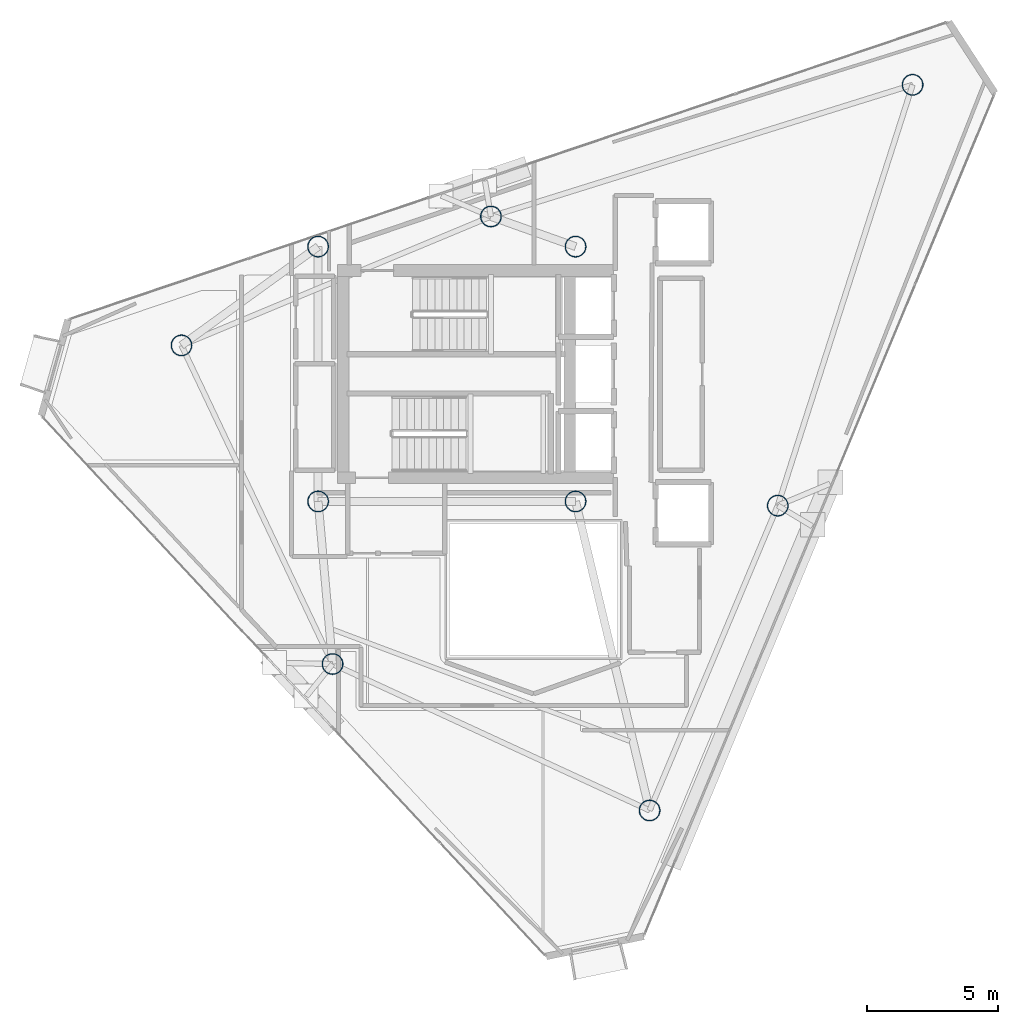
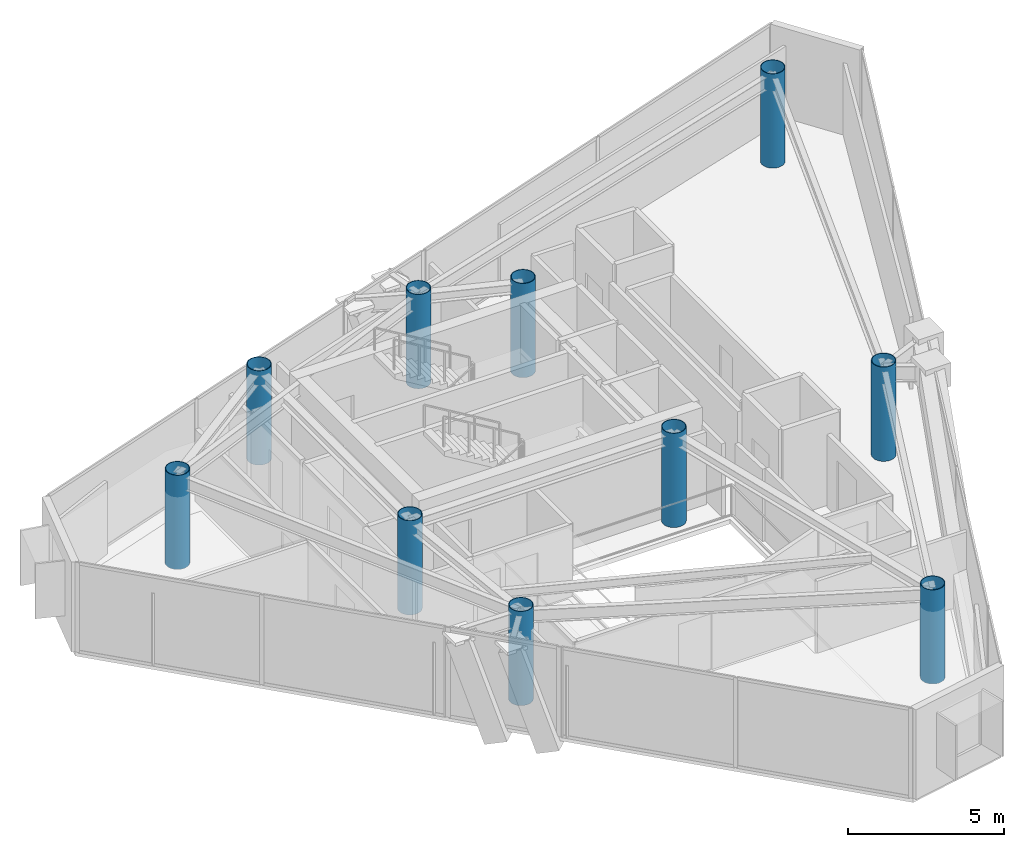
# One storey, part 1 of 19: 10 columns.
"""IFC4 building model written with IfcOpenShell, lengths in metres."""

import ifcopenshell
import ifcopenshell.guid

model = None  # the IFC model being written
_history = None  # IfcOwnerHistory: only IFC2X3 demands one
_inside = {}  # id of a spatial element -> (the spatial element, [elements in it])
_under = {}  # id of a project, library or spatial element -> (it, [spatial elements below it])
_declared = {}  # id of a project -> (the project, [libraries it declares])
_typed = {}  # id of a type object -> (the type object, [elements of that type])
_made_of = {}  # id of a material, layer set ... -> (it, [elements and type objects made of it])


def new_model(schema):
    """Start an empty IFC model of exactly this schema.

    Asked for "IFC4X3", IfcOpenShell would pick the latest addendum, in which some entities
    have other attributes; the version numbers below select the first issue.
    IFC2X3 requires an IfcOwnerHistory on every rooted entity: one is made here for all.
    """
    global model, _history
    if schema == "IFC4X3":
        model = ifcopenshell.file(schema_version=(4, 3, 0, 0))
    else:
        model = ifcopenshell.file(schema=schema)
    _inside.clear()
    _under.clear()
    _declared.clear()
    _typed.clear()
    _made_of.clear()
    _history = None
    if model.schema == "IFC2X3":
        org = make("IfcOrganization", Name="unknown")
        user = make(
            "IfcPersonAndOrganization",
            ThePerson=make("IfcPerson", FamilyName="unknown"),
            TheOrganization=org,
        )
        app = make(
            "IfcApplication",
            ApplicationDeveloper=org,
            Version="unknown",
            ApplicationFullName="unknown",
            ApplicationIdentifier="unknown",
        )
        _history = make(
            "IfcOwnerHistory",
            OwningUser=user,
            OwningApplication=app,
            ChangeAction="ADDED",
            CreationDate=0,
        )
    return model


def make(cls, **values):
    """One entity of the class cls with the attributes given. An attribute that is None is left unset."""
    return model.create_entity(
        cls, **{name: value for name, value in values.items() if value is not None}
    )


def rooted(cls, **values):
    """An entity with a GlobalId (a new one), such as an element, a storey or a relation."""
    return make(cls, GlobalId=ifcopenshell.guid.new(), OwnerHistory=_history, **values)


def si_unit(unit_type, name, prefix=None):
    """IfcSIUnit, for example si_unit("LENGTHUNIT", "METRE", prefix="MILLI")."""
    return make("IfcSIUnit", UnitType=unit_type, Prefix=prefix, Name=name)


def assignment(units):
    """IfcUnitAssignment: the units of a project."""
    return None if units is None else make("IfcUnitAssignment", Units=units)


def point(xyz):
    """IfcCartesianPoint."""
    return None if xyz is None else make("IfcCartesianPoint", Coordinates=xyz)


def direction(xyz):
    """IfcDirection."""
    return None if xyz is None else make("IfcDirection", DirectionRatios=xyz)


def frame(location, z_axis=None, x_axis=None):
    """IfcAxis2Placement3D, a coordinate frame: its origin and axes. An axis left out is left unset."""
    return make(
        "IfcAxis2Placement3D",
        Location=point(location),
        Axis=direction(z_axis),
        RefDirection=direction(x_axis),
    )


def frame_2d(location, x_axis=None):
    """IfcAxis2Placement2D, a coordinate frame in the plane: its origin and x axis."""
    return make(
        "IfcAxis2Placement2D", Location=point(location), RefDirection=direction(x_axis)
    )


def origin():
    """The frame at (0, 0, 0) with its axes left unset."""
    return frame((0.0, 0.0, 0.0))


def origin_2d():
    """The frame at (0, 0) in the plane with its x axis left unset."""
    return frame_2d((0.0, 0.0))


def place(relative_to, where):
    """IfcLocalPlacement: puts the frame where relative to a parent placement (None: the world)."""
    return make(
        "IfcLocalPlacement", PlacementRelTo=relative_to, RelativePlacement=where
    )


def context(
    kind, dimensions, precision=None, world=None, true_north=None, identifier=None
):
    """IfcGeometricRepresentationContext, for example the 3D "Model" context."""
    return make(
        "IfcGeometricRepresentationContext",
        ContextIdentifier=identifier,
        ContextType=kind,
        CoordinateSpaceDimension=dimensions,
        Precision=precision,
        WorldCoordinateSystem=world,
        TrueNorth=true_north,
    )


def subcontext(parent, identifier, kind, view, scale=None):
    """IfcGeometricRepresentationSubContext, for example "Body" below "Model"."""
    return make(
        "IfcGeometricRepresentationSubContext",
        ContextIdentifier=identifier,
        ContextType=kind,
        ParentContext=parent,
        TargetScale=scale,
        TargetView=view,
    )


def project(units=None, contexts=None):
    """IfcProject with its units and contexts."""
    return rooted(
        "IfcProject",
        Name="project",
        RepresentationContexts=contexts,
        UnitsInContext=assignment(units),
    )


def spatial(cls, under=None, at=None, **own):
    """A site, building, storey or space (cls), placed at a placement, below another one or the project."""
    s = rooted(cls, ObjectPlacement=at, **own)
    if under is not None:
        _under.setdefault(under.id(), (under, []))[1].append(s)
    return s


def profile(cls, at=None, kind="AREA", **sizes):
    """A parametric profile (cls). Its sizes go by their IFC names, for example OverallWidth=200.0."""
    return make(cls, ProfileType=kind, Position=at, **sizes)


def hollow_circle(**sizes):
    """IfcCircleHollowProfileDef."""
    return profile("IfcCircleHollowProfileDef", **sizes)


def extrude(swept, where, along, depth):
    """IfcExtrudedAreaSolid: the profile swept, set in the frame where, extruded along a direction by depth."""
    return make(
        "IfcExtrudedAreaSolid",
        SweptArea=swept,
        Position=where,
        ExtrudedDirection=direction(along),
        Depth=depth,
    )


def shape(context_of_items, identifier, shape_type, items):
    """IfcShapeRepresentation: the items that make up one representation, for example the "Body"."""
    return make(
        "IfcShapeRepresentation",
        ContextOfItems=context_of_items,
        RepresentationIdentifier=identifier,
        RepresentationType=shape_type,
        Items=items,
    )


def material(Name=None, Category=None):
    """IfcMaterial."""
    return make("IfcMaterial", Name=Name, Category=Category)


def material_profile(
    of_material, cross_section, Name=None, Category=None, Priority=None
):
    """IfcMaterialProfile: a cross section and its material."""
    return make(
        "IfcMaterialProfile",
        Name=Name,
        Material=of_material,
        Profile=cross_section,
        Priority=Priority,
        Category=Category,
    )


def profile_set(profiles, Name=None, composite=None):
    """IfcMaterialProfileSet."""
    return make(
        "IfcMaterialProfileSet",
        Name=Name,
        MaterialProfiles=profiles,
        CompositeProfile=composite,
    )


def made_of(thing, what):
    """Note that an element or type object is made of a material, layer set ...; save() writes the relation."""
    if what is not None:
        _made_of.setdefault(what.id(), (what, []))[1].append(thing)
    return thing


def type_object(cls, material=None, **own):
    """A type object (cls), such as IfcWallType, which elements share."""
    return made_of(rooted(cls, **own), material)


def element(
    cls,
    number,
    at=None,
    inside=None,
    cuts=None,
    type_object=None,
    material=None,
    context=None,
    identifier="Body",
    shape_type=None,
    held_by="IfcProductDefinitionShape",
    body=None,
    shapes=None,
    **own,
):
    """One element of the class cls, such as IfcWall. Its Tag is "e" and its number.

    at: its placement. inside: the storey or other place that contains it. cuts: it is an
    opening in that element (IfcRelVoidsElement). A single representation is given by context,
    identifier, shape_type and body (its items); several are given by shapes. held_by: the class
    of the entity that holds the representations. save() writes the other relations.
    """
    e = rooted(cls, Tag="e%d" % number, ObjectPlacement=at, **own)
    if body is not None:
        shapes = [shape(context, identifier, shape_type, body)]
    if shapes is not None:
        e.Representation = make(held_by, Representations=shapes)
    if inside is not None:
        _inside.setdefault(inside.id(), (inside, []))[1].append(e)
    if cuts is not None:
        rooted(
            "IfcRelVoidsElement", RelatingBuildingElement=cuts, RelatedOpeningElement=e
        )
    if type_object is not None:
        _typed.setdefault(type_object.id(), (type_object, []))[1].append(e)
    return made_of(e, material)


def aggregate(whole, parts):
    """IfcRelAggregates: a whole, such as a stair, and the parts it consists of."""
    return rooted("IfcRelAggregates", RelatingObject=whole, RelatedObjects=parts)


def save(model, path):
    """Write the relations noted so far, then the file.

    IfcRelAggregates (storeys below a building ...), IfcRelContainedInSpatialStructure (elements
    in a storey), IfcRelDefinesByType, IfcRelAssociatesMaterial and IfcRelDeclares: one each for
    every whole, place, type object, material and project.
    """
    for whole, parts in _under.values():
        aggregate(whole, parts)
    for where, things in _inside.values():
        rooted(
            "IfcRelContainedInSpatialStructure",
            RelatedElements=things,
            RelatingStructure=where,
        )
    for kind, things in _typed.values():
        rooted("IfcRelDefinesByType", RelatedObjects=things, RelatingType=kind)
    for what, things in _made_of.values():
        rooted("IfcRelAssociatesMaterial", RelatedObjects=things, RelatingMaterial=what)
    for by, libraries in _declared.values():
        rooted("IfcRelDeclares", RelatingContext=by, RelatedDefinitions=libraries)
    model.write(path)


model = new_model("IFC4")

# Units and contexts
model_context = context("Model", 3, precision=1e-05, world=origin(), true_north=direction((0.0, 1.0)))
body_context = subcontext(model_context, "Body", "Model", "MODEL_VIEW")
ifc_project = project(units=[si_unit("LENGTHUNIT", "METRE"), si_unit("AREAUNIT", "SQUARE_METRE"), si_unit("VOLUMEUNIT", "CUBIC_METRE"), si_unit("PLANEANGLEUNIT", "RADIAN"), si_unit("MASSUNIT", "GRAM", prefix="KILO")], contexts=[model_context])

# Site, building, storey
site_placement = place(None, origin())
site = spatial("IfcSite", under=ifc_project, at=site_placement, CompositionType="ELEMENT")
building_placement = place(site_placement, origin())
building = spatial("IfcBuilding", under=site, at=building_placement, Name="Qianvela Tower", CompositionType="ELEMENT")
storey_placement = place(building_placement, frame((0.0, 0.0, 333.300048828125)))
storey = spatial("IfcBuildingStorey", under=building, at=storey_placement, Name="L86", CompositionType="ELEMENT", Elevation=333.300048828125)

# Columns
ifc_material = material(Name="Steel Q420GJC", Category="steel")
ifc_material_profile = material_profile(ifc_material, hollow_circle(Radius=0.39990234375, WallThickness=0.02197265625, at=origin_2d()), Name="CFT-800x22")
ifc_profile_set = profile_set([ifc_material_profile], Name="Steel Q420GJC")
column_type = type_object("IfcColumnType", Name="COL-CFT-800x22", PredefinedType="COLUMN", material=ifc_profile_set)
for number, where, z_axis, x_axis, name in (
    (1, (28.60009765625, 33.550048828125, 0.0), (0.0, 0.0, 1.0), (1.0, 0.0, 0.0), "L86 Core Corner Mega-Column CC-NW"),
    (2, (28.60009765625, 23.85009765625, 0.0), (0.0, 0.0, 1.0), (1.0, 0.0, 0.0), "L86 Core Corner Mega-Column CC-SW"),
    (3, (38.39990234375, 33.550048828125, 0.0), (0.0, 0.0, 1.0), (1.0, 0.0, 0.0), "L86 Core Corner Mega-Column CC-NE"),
    (4, (38.39990234375, 23.85009765625, 0.0), (0.0, 0.0, 1.0), (1.0, 0.0, 0.0), "L86 Core Corner Mega-Column CC-SE"),
    (5, (51.22705078125, 39.7080078125, 0.0), (0.0, 0.0, 1.0), (1.0, 0.0, 0.0), "L86 Zone Z8 CFT Mega-Column C1"),
    (6, (35.177001953125, 34.695068359375, 0.0), (0.0, 0.0, 1.0), (1.0, 0.0, 0.0), "L86 Zone Z8 CFT Mega-Column C2"),
    (7, (23.39990234375, 29.7890625, 0.0), (0.0, 0.0, 1.0), (1.0, 0.0, 0.0), "L86 Zone Z8 CFT Mega-Column C3"),
    (8, (29.14990234375, 17.662109375, 0.0), (0.0, 0.0, 1.0), (1.0, 0.0, 0.0), "L86 Zone Z8 CFT Mega-Column C4"),
    (9, (41.217041015625, 12.087890625, 0.0), (0.0, 0.0, 1.0), (1.0, 0.0, 0.0), "L86 Zone Z8 CFT Mega-Column C5"),
    (10, (46.094970703125, 23.69091796875, 0.0), (0.0, 0.0, 1.0), (1.0, 0.0, 0.0), "L86 Zone Z8 CFT Mega-Column C6"),
):
    element("IfcColumn", number, at=place(storey_placement, frame(where, z_axis=z_axis, x_axis=x_axis)), inside=storey, type_object=column_type, Name=name, PredefinedType="COLUMN", context=body_context, shape_type="SweptSolid", body=[
        extrude(hollow_circle(Radius=0.39990234375, WallThickness=0.02197265625, at=origin_2d()), origin(), (0.0, 0.0, 1.0), 3.699951171875),
    ])

save(model, "model.ifc")
